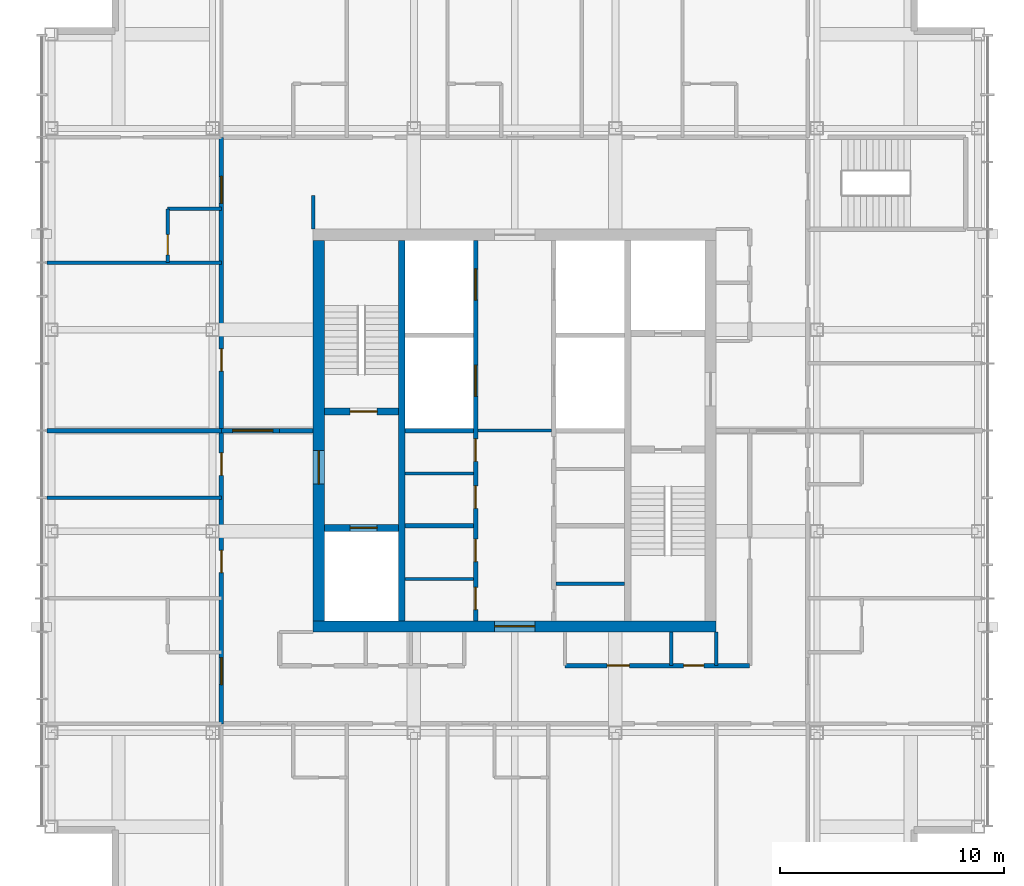
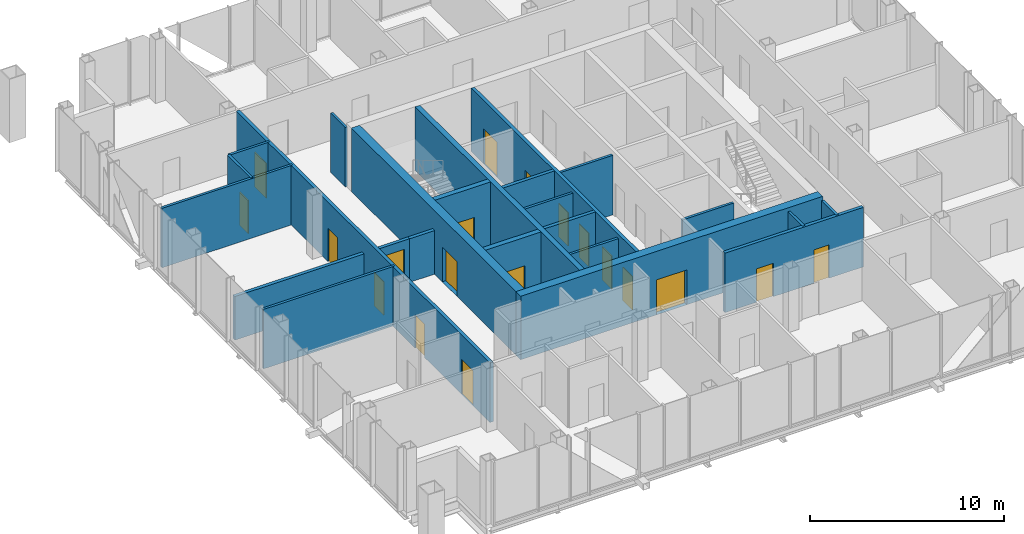
# One storey, part 8 of 11: 24 walls, 19 doors, 19 openings.
"""IFC4 building model written with IfcOpenShell, lengths in metres."""

from ifc_helpers import new_model, si_unit, direction, frame, frame_2d, origin, place, context, subcontext, project, spatial, rectangle, extrude, material, layer, layer_set, type_object, element, fill, save


model = new_model("IFC4")

# Units and contexts
model_context = context("Model", 3, precision=1e-05, world=origin(), true_north=direction((0.0, 1.0)))
body_context = subcontext(model_context, "Body", "Model", "MODEL_VIEW")
ifc_project = project(units=[si_unit("LENGTHUNIT", "METRE"), si_unit("AREAUNIT", "SQUARE_METRE"), si_unit("VOLUMEUNIT", "CUBIC_METRE"), si_unit("PLANEANGLEUNIT", "RADIAN"), si_unit("MASSUNIT", "GRAM", prefix="KILO")], contexts=[model_context])

# Site, building, storey
site_placement = place(None, origin())
site = spatial("IfcSite", under=ifc_project, at=site_placement, CompositionType="ELEMENT")
building_placement = place(site_placement, origin())
building = spatial("IfcBuilding", under=site, at=building_placement, Name="Malebo Sky Hospital", CompositionType="ELEMENT")
storey_placement = place(building_placement, frame((0.0, 0.0, 278.0)))
storey = spatial("IfcBuildingStorey", under=building, at=storey_placement, Name="L67", CompositionType="ELEMENT", Elevation=278.0)

# Wall, openings, doors
ifc_material_1 = material(Name="Concrete C80/95", Category="concrete")
ifc_layer_1 = layer(ifc_material_1, 0.199951171875)
ifc_layer_set_1 = layer_set([ifc_layer_1], Name="CORE INNER WALL 200")
wall_type_1 = type_object("IfcWallType", Name="CORE INNER WALL 200", PredefinedType="SHEAR", material=ifc_layer_set_1)
wall_1_placement = place(storey_placement, frame((58.25, 53.5, 0.0), z_axis=(0.0, 0.0, 1.0), x_axis=(0.0, 1.0, 0.0)))
wall_1 = element("IfcWall", 1, at=wall_1_placement, inside=storey, type_object=wall_type_1, Name="Core wall LW L67", PredefinedType="SHEAR", context=body_context, shape_type="SweptSolid", body=[
    extrude(rectangle(XDim=17.0, YDim=0.199951171875, at=frame_2d((8.5, 0.0))), origin(), (0.0, 0.0, 1.0), 4.0),
])
opening_1_placement = place(wall_1_placement, frame((0.49609375, 0.0, 0.0)))
opening_1 = element("IfcOpeningElement", 2, at=opening_1_placement, cuts=wall_1, Name="Opening D17", PredefinedType="OPENING", context=body_context, shape_type="SweptSolid", body=[
    extrude(rectangle(XDim=1.0, YDim=2.10009765625, at=frame_2d((0.5, 1.050048828125))), frame((0.0, 0.10986328125, 0.0), z_axis=(0.0, -1.0, 0.0), x_axis=(1.0, 0.0, 0.0)), (0.0, 0.0, 1.0), 0.219970703125),
])
opening_2_placement = place(wall_1_placement, frame((2.64599609375, 0.0, 0.0)))
opening_2 = element("IfcOpeningElement", 3, at=opening_2_placement, cuts=wall_1, Name="Opening D17", PredefinedType="OPENING", context=body_context, shape_type="SweptSolid", body=[
    extrude(rectangle(XDim=1.0, YDim=2.10009765625, at=frame_2d((0.5, 1.050048828125))), frame((0.0, 0.10986328125, 0.0), z_axis=(0.0, -1.0, 0.0), x_axis=(1.0, 0.0, 0.0)), (0.0, 0.0, 1.0), 0.219970703125),
])
opening_3_placement = place(wall_1_placement, frame((5.026611328125, 0.0, 0.0)))
opening_3 = element("IfcOpeningElement", 4, at=opening_3_placement, cuts=wall_1, Name="Opening D17", PredefinedType="OPENING", context=body_context, shape_type="SweptSolid", body=[
    extrude(rectangle(XDim=1.0, YDim=2.10009765625, at=frame_2d((0.5, 1.050048828125))), frame((0.0, 0.10986328125, 0.0), z_axis=(0.0, -1.0, 0.0), x_axis=(1.0, 0.0, 0.0)), (0.0, 0.0, 1.0), 0.219970703125),
])
opening_4_placement = place(wall_1_placement, frame((7.12646484375, 0.0, 0.0)))
opening_4 = element("IfcOpeningElement", 5, at=opening_4_placement, cuts=wall_1, Name="Opening D17", PredefinedType="OPENING", context=body_context, shape_type="SweptSolid", body=[
    extrude(rectangle(XDim=1.0, YDim=2.10009765625, at=frame_2d((0.5, 1.050048828125))), frame((0.0, 0.10986328125, 0.0), z_axis=(0.0, -1.0, 0.0), x_axis=(1.0, 0.0, 0.0)), (0.0, 0.0, 1.0), 0.219970703125),
])
opening_5_placement = place(wall_1_placement, frame((10.02490234375, 0.0, 0.0)))
opening_5 = element("IfcOpeningElement", 6, at=opening_5_placement, cuts=wall_1, Name="Opening LD1", PredefinedType="OPENING", context=body_context, shape_type="SweptSolid", body=[
    extrude(rectangle(XDim=1.39990234375, YDim=2.199951171875, at=frame_2d((0.699951171875, 1.10009765625))), frame((0.0, 0.10986328125, 0.0), z_axis=(0.0, -1.0, 0.0), x_axis=(1.0, 0.0, 0.0)), (0.0, 0.0, 1.0), 0.219970703125),
])
opening_6_placement = place(wall_1_placement, frame((14.324951171875, 0.0, 0.0)))
opening_6 = element("IfcOpeningElement", 7, at=opening_6_placement, cuts=wall_1, Name="Opening LD1", PredefinedType="OPENING", context=body_context, shape_type="SweptSolid", body=[
    extrude(rectangle(XDim=1.39990234375, YDim=2.199951171875, at=frame_2d((0.699951171875, 1.10009765625))), frame((0.0, 0.10986328125, 0.0), z_axis=(0.0, -1.0, 0.0), x_axis=(1.0, 0.0, 0.0)), (0.0, 0.0, 1.0), 0.219970703125),
])
ifc_material_2 = material(Name="Hardwood-faced door leaf in steel frame", Category="steel")
door_type_1 = type_object("IfcDoorType", Name="FIRE DOOR 1000", OperationType="SINGLE_SWING_LEFT", PredefinedType="DOOR", material=ifc_material_2)
door_1_placement = place(opening_1_placement, origin())
door_1 = element("IfcDoor", 8, at=door_1_placement, inside=storey, type_object=door_type_1, Name="Linen store door", OperationType="SINGLE_SWING_RIGHT", OverallHeight=2.10009765625, OverallWidth=1.0, PredefinedType="DOOR", context=body_context, shape_type="SweptSolid", body=[
    extrude(rectangle(XDim=1.0, YDim=2.10009765625, at=frame_2d((0.5, 1.050048828125))), frame((0.0, 0.02490234375, 0.0), z_axis=(0.0, -1.0, 0.0), x_axis=(1.0, 0.0, 0.0)), (0.0, 0.0, 1.0), 0.050048828125),
])
fill(opening_1, door_1)
door_2_placement = place(opening_2_placement, origin())
door_2 = element("IfcDoor", 9, at=door_2_placement, inside=storey, type_object=door_type_1, Name="Supplies store door", OperationType="SINGLE_SWING_RIGHT", OverallHeight=2.10009765625, OverallWidth=1.0, PredefinedType="DOOR", context=body_context, shape_type="SweptSolid", body=[
    extrude(rectangle(XDim=1.0, YDim=2.10009765625, at=frame_2d((0.5, 1.050048828125))), frame((0.0, 0.02490234375, 0.0), z_axis=(0.0, -1.0, 0.0), x_axis=(1.0, 0.0, 0.0)), (0.0, 0.0, 1.0), 0.050048828125),
])
fill(opening_2, door_2)
door_3_placement = place(opening_3_placement, origin())
door_3 = element("IfcDoor", 10, at=door_3_placement, inside=storey, type_object=door_type_1, Name="Mattress store door", OperationType="SINGLE_SWING_RIGHT", OverallHeight=2.10009765625, OverallWidth=1.0, PredefinedType="DOOR", context=body_context, shape_type="SweptSolid", body=[
    extrude(rectangle(XDim=1.0, YDim=2.10009765625, at=frame_2d((0.5, 1.050048828125))), frame((0.0, 0.02490234375, 0.0), z_axis=(0.0, -1.0, 0.0), x_axis=(1.0, 0.0, 0.0)), (0.0, 0.0, 1.0), 0.050048828125),
])
fill(opening_3, door_3)
door_4_placement = place(opening_4_placement, origin())
door_4 = element("IfcDoor", 11, at=door_4_placement, inside=storey, type_object=door_type_1, Name="Cleaning equipment store door", OperationType="SINGLE_SWING_RIGHT", OverallHeight=2.10009765625, OverallWidth=1.0, PredefinedType="DOOR", context=body_context, shape_type="SweptSolid", body=[
    extrude(rectangle(XDim=1.0, YDim=2.10009765625, at=frame_2d((0.5, 1.050048828125))), frame((0.0, 0.02490234375, 0.0), z_axis=(0.0, -1.0, 0.0), x_axis=(1.0, 0.0, 0.0)), (0.0, 0.0, 1.0), 0.050048828125),
])
fill(opening_4, door_4)
ifc_material_3 = material(Name="Stainless steel sliding landing door", Category="steel")
door_type_2 = type_object("IfcDoorType", Name="LIFT LANDING DOOR 1400", OperationType="SLIDING_TO_LEFT", PredefinedType="DOOR", material=ifc_material_3)
door_5_placement = place(opening_5_placement, origin())
door_5 = element("IfcDoor", 12, at=door_5_placement, inside=storey, type_object=door_type_2, Name="Lift W3 landing door", OperationType="SLIDING_TO_LEFT", OverallHeight=2.199951171875, OverallWidth=1.39990234375, PredefinedType="DOOR", context=body_context, shape_type="SweptSolid", body=[
    extrude(rectangle(XDim=1.39990234375, YDim=2.199951171875, at=frame_2d((0.699951171875, 1.10009765625))), frame((0.0, 0.02490234375, 0.0), z_axis=(0.0, -1.0, 0.0), x_axis=(1.0, 0.0, 0.0)), (0.0, 0.0, 1.0), 0.050048828125),
])
fill(opening_5, door_5)
door_6_placement = place(opening_6_placement, origin())
door_6 = element("IfcDoor", 13, at=door_6_placement, inside=storey, type_object=door_type_2, Name="Lift W4 landing door", OperationType="SLIDING_TO_LEFT", OverallHeight=2.199951171875, OverallWidth=1.39990234375, PredefinedType="DOOR", context=body_context, shape_type="SweptSolid", body=[
    extrude(rectangle(XDim=1.39990234375, YDim=2.199951171875, at=frame_2d((0.699951171875, 1.10009765625))), frame((0.0, 0.02490234375, 0.0), z_axis=(0.0, -1.0, 0.0), x_axis=(1.0, 0.0, 0.0)), (0.0, 0.0, 1.0), 0.050048828125),
])
fill(opening_6, door_6)

# Walls
for number, where, z_axis, x_axis, name in (
    (14, (55.10009765625, 57.75, 0.0), (0.0, 0.0, 1.0), (1.0, 0.0, 0.0), "Core wall SW0 L67"),
    (15, (55.10009765625, 62.0, 0.0), (0.0, 0.0, 1.0), (1.0, 0.0, 0.0), "Core wall SW1 L67"),
):
    element("IfcWall", number, at=place(storey_placement, frame(where, z_axis=z_axis, x_axis=x_axis)), inside=storey, type_object=wall_type_1, Name=name, PredefinedType="SHEAR", context=body_context, shape_type="SweptSolid", body=[
        extrude(rectangle(XDim=3.0498046875, YDim=0.199951171875, at=frame_2d((1.52490234375, 0.0))), origin(), (0.0, 0.0, 1.0), 4.0),
    ])
ifc_layer_2 = layer(ifc_material_1, 0.300048828125)
ifc_layer_set_2 = layer_set([ifc_layer_2], Name="CORE INNER WALL 300")
wall_type_2 = type_object("IfcWallType", Name="CORE INNER WALL 300", PredefinedType="SHEAR", material=ifc_layer_set_2)
wall_2_placement = place(storey_placement, frame((54.949951171875, 53.5, 0.0), z_axis=(0.0, 0.0, 1.0), x_axis=(0.0, 1.0, 0.0)))
element("IfcWall", 16, at=wall_2_placement, inside=storey, type_object=wall_type_2, Name="Core wall XW L67", PredefinedType="SHEAR", context=body_context, shape_type="SweptSolid", body=[
    extrude(rectangle(XDim=17.0, YDim=0.300048828125, at=frame_2d((8.5, 0.0))), origin(), (0.0, 0.0, 1.0), 4.0),
])

# Wall, opening, door
wall_3_placement = place(storey_placement, frame((51.5, 62.85009765625, 0.0), z_axis=(0.0, 0.0, 1.0), x_axis=(1.0, 0.0, 0.0)))
wall_3 = element("IfcWall", 17, at=wall_3_placement, inside=storey, type_object=wall_type_2, Name="Core wall W1 L67", PredefinedType="SHEAR", context=body_context, shape_type="SweptSolid", body=[
    extrude(rectangle(XDim=3.300048828125, YDim=0.300048828125, at=frame_2d((1.64990234375, 0.0))), origin(), (0.0, 0.0, 1.0), 4.0),
])
opening_7_placement = place(wall_3_placement, frame((1.14990234375, 0.0, 0.0)))
opening_7 = element("IfcOpeningElement", 18, at=opening_7_placement, cuts=wall_3, Name="Opening D08", PredefinedType="OPENING", context=body_context, shape_type="SweptSolid", body=[
    extrude(rectangle(XDim=1.199951171875, YDim=2.10009765625, at=frame_2d((0.60009765625, 1.050048828125))), frame((0.0, 0.159912109375, 0.0), z_axis=(0.0, -1.0, 0.0), x_axis=(1.0, 0.0, 0.0)), (0.0, 0.0, 1.0), 0.320068359375),
])
door_type_3 = type_object("IfcDoorType", Name="STAIR DOOR 1200", OperationType="SINGLE_SWING_LEFT", PredefinedType="DOOR", material=ifc_material_2)
door_7_placement = place(opening_7_placement, origin())
door_7 = element("IfcDoor", 19, at=door_7_placement, inside=storey, type_object=door_type_3, Name="Stair S1 door", OperationType="SINGLE_SWING_RIGHT", OverallHeight=2.10009765625, OverallWidth=1.199951171875, PredefinedType="DOOR", context=body_context, shape_type="SweptSolid", body=[
    extrude(rectangle(XDim=1.199951171875, YDim=2.10009765625, at=frame_2d((0.60009765625, 1.050048828125))), frame((0.0, 0.02490234375, 0.0), z_axis=(0.0, -1.0, 0.0), x_axis=(1.0, 0.0, 0.0)), (0.0, 0.0, 1.0), 0.050048828125),
])
fill(opening_7, door_7)

wall_4_placement = place(storey_placement, frame((51.5, 57.64990234375, 0.0), z_axis=(0.0, 0.0, 1.0), x_axis=(1.0, 0.0, 0.0)))
wall_4 = element("IfcWall", 20, at=wall_4_placement, inside=storey, type_object=wall_type_2, Name="Core wall W2 L67", PredefinedType="SHEAR", context=body_context, shape_type="SweptSolid", body=[
    extrude(rectangle(XDim=3.300048828125, YDim=0.300048828125, at=frame_2d((1.64990234375, 0.0))), origin(), (0.0, 0.0, 1.0), 4.0),
])
opening_8_placement = place(wall_4_placement, frame((1.14990234375, 0.0, 0.0)))
opening_8 = element("IfcOpeningElement", 21, at=opening_8_placement, cuts=wall_4, Name="Opening LD2", PredefinedType="OPENING", context=body_context, shape_type="SweptSolid", body=[
    extrude(rectangle(XDim=1.199951171875, YDim=2.199951171875, at=frame_2d((0.60009765625, 1.10009765625))), frame((0.0, 0.159912109375, 0.0), z_axis=(0.0, -1.0, 0.0), x_axis=(1.0, 0.0, 0.0)), (0.0, 0.0, 1.0), 0.320068359375),
])
door_type_4 = type_object("IfcDoorType", Name="FIRE-FIGHTING LIFT LANDING DOOR 1200", OperationType="SLIDING_TO_LEFT", PredefinedType="DOOR", material=ifc_material_3)
door_8_placement = place(opening_8_placement, origin())
door_8 = element("IfcDoor", 22, at=door_8_placement, inside=storey, type_object=door_type_4, Name="Lift FL1 landing door", OperationType="SLIDING_TO_LEFT", OverallHeight=2.199951171875, OverallWidth=1.199951171875, PredefinedType="DOOR", context=body_context, shape_type="SweptSolid", body=[
    extrude(rectangle(XDim=1.199951171875, YDim=2.199951171875, at=frame_2d((0.60009765625, 1.10009765625))), frame((0.0, 0.02490234375, 0.0), z_axis=(0.0, -1.0, 0.0), x_axis=(1.0, 0.0, 0.0)), (0.0, 0.0, 1.0), 0.050048828125),
])
fill(opening_8, door_8)

ifc_layer_3 = layer(ifc_material_1, 0.5)
ifc_layer_set_3 = layer_set([ifc_layer_3], Name="CORE WALL 500")
wall_type_3 = type_object("IfcWallType", Name="CORE WALL 500", PredefinedType="SHEAR", material=ifc_layer_set_3)
wall_5_placement = place(storey_placement, frame((51.0, 53.25, 0.0), z_axis=(0.0, 0.0, 1.0), x_axis=(1.0, 0.0, 0.0)))
wall_5 = element("IfcWall", 23, at=wall_5_placement, inside=storey, type_object=wall_type_3, Name="Core wall S L67", PredefinedType="SHEAR", context=body_context, shape_type="SweptSolid", body=[
    extrude(rectangle(XDim=18.0, YDim=0.5, at=frame_2d((9.0, 0.0))), origin(), (0.0, 0.0, 1.0), 4.0),
])
opening_9_placement = place(wall_5_placement, frame((8.10009765625, 0.0, 0.0)))
opening_9 = element("IfcOpeningElement", 24, at=opening_9_placement, cuts=wall_5, Name="Opening D06", PredefinedType="OPENING", context=body_context, shape_type="SweptSolid", body=[
    extrude(rectangle(XDim=1.800048828125, YDim=2.199951171875, at=frame_2d((0.89990234375, 1.10009765625))), frame((0.0, 0.260009765625, 0.0), z_axis=(0.0, -1.0, 0.0), x_axis=(1.0, 0.0, 0.0)), (0.0, 0.0, 1.0), 0.52001953125),
])
door_type_5 = type_object("IfcDoorType", Name="LOBBY DOOR PAIR 1800", OperationType="DOUBLE_DOOR_SINGLE_SWING", PredefinedType="DOOR", material=ifc_material_2)
door_9_placement = place(opening_9_placement, origin())
door_9 = element("IfcDoor", 25, at=door_9_placement, inside=storey, type_object=door_type_5, Name="Service lobby door south", OperationType="DOUBLE_DOOR_SINGLE_SWING", OverallHeight=2.199951171875, OverallWidth=1.800048828125, PredefinedType="DOOR", context=body_context, shape_type="SweptSolid", body=[
    extrude(rectangle(XDim=1.800048828125, YDim=2.199951171875, at=frame_2d((0.89990234375, 1.10009765625))), frame((0.0, 0.02490234375, 0.0), z_axis=(0.0, -1.0, 0.0), x_axis=(1.0, 0.0, 0.0)), (0.0, 0.0, 1.0), 0.050048828125),
])
fill(opening_9, door_9)

wall_6_placement = place(storey_placement, frame((51.25, 53.5, 0.0), z_axis=(0.0, 0.0, 1.0), x_axis=(0.0, 1.0, 0.0)))
wall_6 = element("IfcWall", 26, at=wall_6_placement, inside=storey, type_object=wall_type_3, Name="Core wall W L67", PredefinedType="SHEAR", context=body_context, shape_type="SweptSolid", body=[
    extrude(rectangle(XDim=17.0, YDim=0.5, at=frame_2d((8.5, 0.0))), origin(), (0.0, 0.0, 1.0), 4.0),
])
opening_10_placement = place(wall_6_placement, frame((6.10009765625, 0.0, 0.0)))
opening_10 = element("IfcOpeningElement", 27, at=opening_10_placement, cuts=wall_6, Name="Opening D07", PredefinedType="OPENING", context=body_context, shape_type="SweptSolid", body=[
    extrude(rectangle(XDim=1.5, YDim=2.199951171875, at=frame_2d((0.75, 1.10009765625))), frame((0.0, 0.260009765625, 0.0), z_axis=(0.0, -1.0, 0.0), x_axis=(1.0, 0.0, 0.0)), (0.0, 0.0, 1.0), 0.52001953125),
])
door_type_6 = type_object("IfcDoorType", Name="FIRE-FIGHTING LOBBY DOOR PAIR 1500", OperationType="DOUBLE_DOOR_SINGLE_SWING", PredefinedType="DOOR", material=ifc_material_2)
door_10_placement = place(opening_10_placement, origin())
door_10 = element("IfcDoor", 28, at=door_10_placement, inside=storey, type_object=door_type_6, Name="Fire-fighting lobby door west", OperationType="DOUBLE_DOOR_SINGLE_SWING", OverallHeight=2.199951171875, OverallWidth=1.5, PredefinedType="DOOR", context=body_context, shape_type="SweptSolid", body=[
    extrude(rectangle(XDim=1.5, YDim=2.199951171875, at=frame_2d((0.75, 1.10009765625))), frame((0.0, 0.02490234375, 0.0), z_axis=(0.0, -1.0, 0.0), x_axis=(1.0, 0.0, 0.0)), (0.0, 0.0, 1.0), 0.050048828125),
])
fill(opening_10, door_10)

# Wall, openings, doors
ifc_material_4 = material(Name="Gypsum board on steel studs", Category="steel")
ifc_layer_4 = layer(ifc_material_4, 0.199951171875)
ifc_layer_set_4 = layer_set([ifc_layer_4], Name="CORRIDOR WALL 200")
wall_type_4 = type_object("IfcWallType", Name="CORRIDOR WALL 200", PredefinedType="PARTITIONING", material=ifc_layer_set_4)
wall_7_placement = place(storey_placement, frame((46.89990234375, 48.89990234375, 0.0), z_axis=(0.0, 0.0, 1.0), x_axis=(0.0, 1.0, 0.0)))
wall_7 = element("IfcWall", 29, at=wall_7_placement, inside=storey, type_object=wall_type_4, Name="Corridor Wall 200 WCO", PredefinedType="PARTITIONING", context=body_context, shape_type="SweptSolid", body=[
    extrude(rectangle(XDim=26.2001953125, YDim=0.199951171875, at=frame_2d((13.10009765625, 0.0))), origin(), (0.0, 0.0, 1.0), 3.75),
])
opening_11_placement = place(wall_7_placement, frame((1.75, 0.0, 0.0)))
opening_11 = element("IfcOpeningElement", 30, at=opening_11_placement, cuts=wall_7, Name="Opening D01", PredefinedType="OPENING", context=body_context, shape_type="SweptSolid", body=[
    extrude(rectangle(XDim=1.199951171875, YDim=2.199951171875, at=frame_2d((0.60009765625, 1.10009765625))), frame((0.0, 0.10986328125, 0.0), z_axis=(0.0, -1.0, 0.0), x_axis=(1.0, 0.0, 0.0)), (0.0, 0.0, 1.0), 0.219970703125),
])
opening_12_placement = place(wall_7_placement, frame((6.75, 0.0, 0.0)))
opening_12 = element("IfcOpeningElement", 31, at=opening_12_placement, cuts=wall_7, Name="Opening D03", PredefinedType="OPENING", context=body_context, shape_type="SweptSolid", body=[
    extrude(rectangle(XDim=1.0, YDim=2.10009765625, at=frame_2d((0.5, 1.050048828125))), frame((0.0, 0.10986328125, 0.0), z_axis=(0.0, -1.0, 0.0), x_axis=(1.0, 0.0, 0.0)), (0.0, 0.0, 1.0), 0.219970703125),
])
opening_13_placement = place(wall_7_placement, frame((11.10009765625, 0.0, 0.0)))
opening_13 = element("IfcOpeningElement", 32, at=opening_13_placement, cuts=wall_7, Name="Opening D03", PredefinedType="OPENING", context=body_context, shape_type="SweptSolid", body=[
    extrude(rectangle(XDim=1.0, YDim=2.10009765625, at=frame_2d((0.5, 1.050048828125))), frame((0.0, 0.10986328125, 0.0), z_axis=(0.0, -1.0, 0.0), x_axis=(1.0, 0.0, 0.0)), (0.0, 0.0, 1.0), 0.219970703125),
])
opening_14_placement = place(wall_7_placement, frame((15.75, 0.0, 0.0)))
opening_14 = element("IfcOpeningElement", 33, at=opening_14_placement, cuts=wall_7, Name="Opening D03", PredefinedType="OPENING", context=body_context, shape_type="SweptSolid", body=[
    extrude(rectangle(XDim=1.0, YDim=2.10009765625, at=frame_2d((0.5, 1.050048828125))), frame((0.0, 0.10986328125, 0.0), z_axis=(0.0, -1.0, 0.0), x_axis=(1.0, 0.0, 0.0)), (0.0, 0.0, 1.0), 0.219970703125),
])
opening_15_placement = place(wall_7_placement, frame((23.25, 0.0, 0.0)))
opening_15 = element("IfcOpeningElement", 34, at=opening_15_placement, cuts=wall_7, Name="Opening D01", PredefinedType="OPENING", context=body_context, shape_type="SweptSolid", body=[
    extrude(rectangle(XDim=1.199951171875, YDim=2.199951171875, at=frame_2d((0.60009765625, 1.10009765625))), frame((0.0, 0.10986328125, 0.0), z_axis=(0.0, -1.0, 0.0), x_axis=(1.0, 0.0, 0.0)), (0.0, 0.0, 1.0), 0.219970703125),
])
door_type_7 = type_object("IfcDoorType", Name="BED DOOR 1200", OperationType="SINGLE_SWING_LEFT", PredefinedType="DOOR", material=ifc_material_2)
door_11_placement = place(opening_11_placement, origin())
door_11 = element("IfcDoor", 35, at=door_11_placement, inside=storey, type_object=door_type_7, Name="Private patient suite door", OperationType="SINGLE_SWING_RIGHT", OverallHeight=2.199951171875, OverallWidth=1.199951171875, PredefinedType="DOOR", context=body_context, shape_type="SweptSolid", body=[
    extrude(rectangle(XDim=1.199951171875, YDim=2.199951171875, at=frame_2d((0.60009765625, 1.10009765625))), frame((0.0, 0.02490234375, 0.0), z_axis=(0.0, -1.0, 0.0), x_axis=(1.0, 0.0, 0.0)), (0.0, 0.0, 1.0), 0.050048828125),
])
fill(opening_11, door_11)
door_12_placement = place(opening_15_placement, origin())
door_12 = element("IfcDoor", 36, at=door_12_placement, inside=storey, type_object=door_type_7, Name="Private patient suite door", OperationType="SINGLE_SWING_LEFT", OverallHeight=2.199951171875, OverallWidth=1.199951171875, PredefinedType="DOOR", context=body_context, shape_type="SweptSolid", body=[
    extrude(rectangle(XDim=1.199951171875, YDim=2.199951171875, at=frame_2d((0.60009765625, 1.10009765625))), frame((0.0, 0.02490234375, 0.0), z_axis=(0.0, -1.0, 0.0), x_axis=(1.0, 0.0, 0.0)), (0.0, 0.0, 1.0), 0.050048828125),
])
fill(opening_15, door_12)
door_type_8 = type_object("IfcDoorType", Name="ROOM DOOR 1000", OperationType="SINGLE_SWING_LEFT", PredefinedType="DOOR", material=ifc_material_2)
door_13_placement = place(opening_12_placement, origin())
door_13 = element("IfcDoor", 37, at=door_13_placement, inside=storey, type_object=door_type_8, Name="Clean utility room door", OperationType="SINGLE_SWING_LEFT", OverallHeight=2.10009765625, OverallWidth=1.0, PredefinedType="DOOR", context=body_context, shape_type="SweptSolid", body=[
    extrude(rectangle(XDim=1.0, YDim=2.10009765625, at=frame_2d((0.5, 1.050048828125))), frame((0.0, 0.02490234375, 0.0), z_axis=(0.0, -1.0, 0.0), x_axis=(1.0, 0.0, 0.0)), (0.0, 0.0, 1.0), 0.050048828125),
])
fill(opening_12, door_13)
door_14_placement = place(opening_13_placement, origin())
door_14 = element("IfcDoor", 38, at=door_14_placement, inside=storey, type_object=door_type_8, Name="Medication room door", OperationType="SINGLE_SWING_RIGHT", OverallHeight=2.10009765625, OverallWidth=1.0, PredefinedType="DOOR", context=body_context, shape_type="SweptSolid", body=[
    extrude(rectangle(XDim=1.0, YDim=2.10009765625, at=frame_2d((0.5, 1.050048828125))), frame((0.0, 0.02490234375, 0.0), z_axis=(0.0, -1.0, 0.0), x_axis=(1.0, 0.0, 0.0)), (0.0, 0.0, 1.0), 0.050048828125),
])
fill(opening_13, door_14)
door_15_placement = place(opening_14_placement, origin())
door_15 = element("IfcDoor", 39, at=door_15_placement, inside=storey, type_object=door_type_8, Name="Treatment room door", OperationType="SINGLE_SWING_LEFT", OverallHeight=2.10009765625, OverallWidth=1.0, PredefinedType="DOOR", context=body_context, shape_type="SweptSolid", body=[
    extrude(rectangle(XDim=1.0, YDim=2.10009765625, at=frame_2d((0.5, 1.050048828125))), frame((0.0, 0.02490234375, 0.0), z_axis=(0.0, -1.0, 0.0), x_axis=(1.0, 0.0, 0.0)), (0.0, 0.0, 1.0), 0.050048828125),
])
fill(opening_14, door_15)

wall_8_placement = place(storey_placement, frame((70.5, 51.5, 0.0), z_axis=(0.0, 0.0, 1.0), x_axis=(-1.0, 0.0, 0.0)))
wall_8 = element("IfcWall", 40, at=wall_8_placement, inside=storey, type_object=wall_type_4, Name="Corridor Wall 200 SCI1", PredefinedType="PARTITIONING", context=body_context, shape_type="SweptSolid", body=[
    extrude(rectangle(XDim=8.25, YDim=0.199951171875, at=frame_2d((4.125, 0.0))), origin(), (0.0, 0.0, 1.0), 3.75),
])
opening_16_placement = place(wall_8_placement, frame((2.050048828125, 0.0, 0.0)))
opening_16 = element("IfcOpeningElement", 41, at=opening_16_placement, cuts=wall_8, Name="Opening D04", PredefinedType="OPENING", context=body_context, shape_type="SweptSolid", body=[
    extrude(rectangle(XDim=0.89990234375, YDim=2.10009765625, at=frame_2d((0.449951171875, 1.050048828125))), frame((0.0, 0.10986328125, 0.0), z_axis=(0.0, -1.0, 0.0), x_axis=(1.0, 0.0, 0.0)), (0.0, 0.0, 1.0), 0.219970703125),
])
opening_17_placement = place(wall_8_placement, frame((5.375, 0.0, 0.0)))
opening_17 = element("IfcOpeningElement", 42, at=opening_17_placement, cuts=wall_8, Name="Opening D03", PredefinedType="OPENING", context=body_context, shape_type="SweptSolid", body=[
    extrude(rectangle(XDim=1.0, YDim=2.10009765625, at=frame_2d((0.5, 1.050048828125))), frame((0.0, 0.10986328125, 0.0), z_axis=(0.0, -1.0, 0.0), x_axis=(1.0, 0.0, 0.0)), (0.0, 0.0, 1.0), 0.219970703125),
])
door_16_placement = place(opening_17_placement, origin())
door_16 = element("IfcDoor", 43, at=door_16_placement, inside=storey, type_object=door_type_8, Name="Linen store door", OperationType="SINGLE_SWING_LEFT", OverallHeight=2.10009765625, OverallWidth=1.0, PredefinedType="DOOR", context=body_context, shape_type="SweptSolid", body=[
    extrude(rectangle(XDim=1.0, YDim=2.10009765625, at=frame_2d((0.5, 1.050048828125))), frame((0.0, 0.02490234375, 0.0), z_axis=(0.0, -1.0, 0.0), x_axis=(1.0, 0.0, 0.0)), (0.0, 0.0, 1.0), 0.050048828125),
])
fill(opening_17, door_16)
door_type_9 = type_object("IfcDoorType", Name="ROOM DOOR 900", OperationType="SINGLE_SWING_LEFT", PredefinedType="DOOR", material=ifc_material_2)
door_17_placement = place(opening_16_placement, origin())
door_17 = element("IfcDoor", 44, at=door_17_placement, inside=storey, type_object=door_type_9, Name="Staff WC door", OperationType="SINGLE_SWING_LEFT", OverallHeight=2.10009765625, OverallWidth=0.89990234375, PredefinedType="DOOR", context=body_context, shape_type="SweptSolid", body=[
    extrude(rectangle(XDim=0.89990234375, YDim=2.10009765625, at=frame_2d((0.449951171875, 1.050048828125))), frame((0.0, 0.02490234375, 0.0), z_axis=(0.0, -1.0, 0.0), x_axis=(1.0, 0.0, 0.0)), (0.0, 0.0, 1.0), 0.050048828125),
])
fill(opening_16, door_17)

# Walls
ifc_layer_5 = layer(ifc_material_4, 0.14990234375)
ifc_layer_set_5 = layer_set([ifc_layer_5], Name="PARTITION 150")
wall_type_5 = type_object("IfcWallType", Name="PARTITION 150", PredefinedType="PARTITIONING", material=ifc_layer_set_5)
wall_9_placement = place(storey_placement, frame((51.0, 71.0, 0.0), z_axis=(0.0, 0.0, 1.0), x_axis=(0.0, 1.0, 0.0)))
element("IfcWall", 45, at=wall_9_placement, inside=storey, type_object=wall_type_5, Name="Partition 150 NSP0", PredefinedType="PARTITIONING", context=body_context, shape_type="SweptSolid", body=[
    extrude(rectangle(XDim=1.5, YDim=0.14990234375, at=frame_2d((0.75, 0.0))), origin(), (0.0, 0.0, 1.0), 3.75),
])
for number, where, z_axis, x_axis, name in (
    (46, (46.89990234375, 59.0, 0.0), (0.0, 0.0, 1.0), (-1.0, 0.0, 0.0), "Partition 150 WP-3.0"),
    (47, (46.89990234375, 69.5, 0.0), (0.0, 0.0, 1.0), (-1.0, 0.0, 0.0), "Partition 150 WP+7.5"),
):
    element("IfcWall", number, at=place(storey_placement, frame(where, z_axis=z_axis, x_axis=x_axis)), inside=storey, type_object=wall_type_5, Name=name, PredefinedType="PARTITIONING", context=body_context, shape_type="SweptSolid", body=[
        extrude(rectangle(XDim=7.7998046875, YDim=0.14990234375, at=frame_2d((3.89990234375, 0.0))), origin(), (0.0, 0.0, 1.0), 3.75),
    ])

# Wall, opening, door
wall_10_placement = place(storey_placement, frame((44.5, 69.5, 0.0), z_axis=(0.0, 0.0, 1.0), x_axis=(0.0, 1.0, 0.0)))
wall_10 = element("IfcWall", 48, at=wall_10_placement, inside=storey, type_object=wall_type_5, Name="Partition 150 WE4F", PredefinedType="PARTITIONING", context=body_context, shape_type="SweptSolid", body=[
    extrude(rectangle(XDim=2.39990234375, YDim=0.14990234375, at=frame_2d((1.199951171875, 0.0))), origin(), (0.0, 0.0, 1.0), 3.75),
])
opening_18_placement = place(wall_10_placement, frame((0.35009765625, 0.0, 0.0)))
opening_18 = element("IfcOpeningElement", 49, at=opening_18_placement, cuts=wall_10, Name="Opening D02", PredefinedType="OPENING", context=body_context, shape_type="SweptSolid", body=[
    extrude(rectangle(XDim=0.89990234375, YDim=2.10009765625, at=frame_2d((0.449951171875, 1.050048828125))), frame((0.0, 0.0849609375, 0.0), z_axis=(0.0, -1.0, 0.0), x_axis=(1.0, 0.0, 0.0)), (0.0, 0.0, 1.0), 0.169921875),
])
door_type_10 = type_object("IfcDoorType", Name="EN-SUITE DOOR 900", OperationType="SINGLE_SWING_LEFT", PredefinedType="DOOR", material=ifc_material_2)
door_18_placement = place(opening_18_placement, origin())
door_18 = element("IfcDoor", 50, at=door_18_placement, inside=storey, type_object=door_type_10, Name="En-suite door", OperationType="SINGLE_SWING_LEFT", OverallHeight=2.10009765625, OverallWidth=0.89990234375, PredefinedType="DOOR", context=body_context, shape_type="SweptSolid", body=[
    extrude(rectangle(XDim=0.89990234375, YDim=2.10009765625, at=frame_2d((0.449951171875, 1.050048828125))), frame((0.0, 0.02490234375, 0.0), z_axis=(0.0, -1.0, 0.0), x_axis=(1.0, 0.0, 0.0)), (0.0, 0.0, 1.0), 0.050048828125),
])
fill(opening_18, door_18)

# Walls
wall_11_placement = place(storey_placement, frame((46.89990234375, 71.89990234375, 0.0), z_axis=(0.0, 0.0, 1.0), x_axis=(-1.0, 0.0, 0.0)))
element("IfcWall", 51, at=wall_11_placement, inside=storey, type_object=wall_type_5, Name="Partition 150 WE4S", PredefinedType="PARTITIONING", context=body_context, shape_type="SweptSolid", body=[
    extrude(rectangle(XDim=2.39990234375, YDim=0.14990234375, at=frame_2d((1.199951171875, 0.0))), origin(), (0.0, 0.0, 1.0), 3.75),
])
for number, where, z_axis, x_axis, name in (
    (52, (69.0, 53.0, 0.0), (0.0, 0.0, 1.0), (0.0, -1.0, 0.0), "Partition 150 SSP0"),
    (53, (67.0, 53.0, 0.0), (0.0, 0.0, 1.0), (0.0, -1.0, 0.0), "Partition 150 SSP-7.0"),
):
    element("IfcWall", number, at=place(storey_placement, frame(where, z_axis=z_axis, x_axis=x_axis)), inside=storey, type_object=wall_type_5, Name=name, PredefinedType="PARTITIONING", context=body_context, shape_type="SweptSolid", body=[
        extrude(rectangle(XDim=1.5, YDim=0.14990234375, at=frame_2d((0.75, 0.0))), origin(), (0.0, 0.0, 1.0), 3.75),
    ])
for number, where, z_axis, x_axis, name in (
    (54, (55.10009765625, 55.366943359375, 0.0), (0.0, 0.0, 1.0), (1.0, 0.0, 0.0), "Partition 150 SHW1"),
    (55, (61.85009765625, 55.159912109375, 0.0), (0.0, 0.0, 1.0), (1.0, 0.0, 0.0), "Partition 150 SHE1"),
    (56, (55.10009765625, 60.077880859375, 0.0), (0.0, 0.0, 1.0), (1.0, 0.0, 0.0), "Partition 150 SHW2"),
):
    element("IfcWall", number, at=place(storey_placement, frame(where, z_axis=z_axis, x_axis=x_axis)), inside=storey, type_object=wall_type_5, Name=name, PredefinedType="PARTITIONING", context=body_context, shape_type="SweptSolid", body=[
        extrude(rectangle(XDim=3.0498046875, YDim=0.14990234375, at=frame_2d((1.52490234375, 0.0))), origin(), (0.0, 0.0, 1.0), 3.75),
    ])
wall_12_placement = place(storey_placement, frame((58.35009765625, 62.0, 0.0), z_axis=(0.0, 0.0, 1.0), x_axis=(1.0, 0.0, 0.0)))
element("IfcWall", 57, at=wall_12_placement, inside=storey, type_object=wall_type_5, Name="Partition 150 LBS", PredefinedType="PARTITIONING", context=body_context, shape_type="SweptSolid", body=[
    extrude(rectangle(XDim=3.2998046875, YDim=0.14990234375, at=frame_2d((1.64990234375, 0.0))), origin(), (0.0, 0.0, 1.0), 3.75),
])
ifc_material_5 = material(Name="Concrete blockwork", Category="masonry")
ifc_layer_6 = layer(ifc_material_5, 0.199951171875)
ifc_layer_set_6 = layer_set([ifc_layer_6], Name="SMOKE BARRIER WALL 200")
wall_type_6 = type_object("IfcWallType", Name="SMOKE BARRIER WALL 200", PredefinedType="SOLIDWALL", material=ifc_layer_set_6)
wall_13_placement = place(storey_placement, frame((46.89990234375, 62.0, 0.0), z_axis=(0.0, 0.0, 1.0), x_axis=(-1.0, 0.0, 0.0)))
element("IfcWall", 58, at=wall_13_placement, inside=storey, type_object=wall_type_6, Name="Smoke Barrier Wall 200 WP+0.0", PredefinedType="SOLIDWALL", context=body_context, shape_type="SweptSolid", body=[
    extrude(rectangle(XDim=7.7998046875, YDim=0.199951171875, at=frame_2d((3.89990234375, 0.0))), origin(), (0.0, 0.0, 1.0), 2.75),
])
wall_14_placement = place(storey_placement, frame((51.0, 62.0, 0.0), z_axis=(0.0, 0.0, 1.0), x_axis=(-1.0, 0.0, 0.0)))
element("IfcWall", 59, at=wall_14_placement, inside=storey, type_object=wall_type_6, Name="Smoke Barrier Wall 200 WSPB", PredefinedType="SOLIDWALL", context=body_context, shape_type="SweptSolid", body=[
    extrude(rectangle(XDim=1.5, YDim=0.199951171875, at=frame_2d((0.75, 0.0))), origin(), (0.0, 0.0, 1.0), 2.75),
])

# Wall, opening, door
wall_15_placement = place(storey_placement, frame((49.5, 62.0, 0.0), z_axis=(0.0, 0.0, 1.0), x_axis=(-1.0, 0.0, 0.0)))
wall_15 = element("IfcWall", 60, at=wall_15_placement, inside=storey, type_object=wall_type_6, Name="Smoke Barrier Wall 200 WSB", PredefinedType="SOLIDWALL", context=body_context, shape_type="SweptSolid", body=[
    extrude(rectangle(XDim=2.60009765625, YDim=0.199951171875, at=frame_2d((1.300048828125, 0.0))), origin(), (0.0, 0.0, 1.0), 2.75),
])
opening_19_placement = place(wall_15_placement, frame((0.300048828125, 0.0, 0.0)))
opening_19 = element("IfcOpeningElement", 61, at=opening_19_placement, cuts=wall_15, Name="Opening D05", PredefinedType="OPENING", context=body_context, shape_type="SweptSolid", body=[
    extrude(rectangle(XDim=1.800048828125, YDim=2.199951171875, at=frame_2d((0.89990234375, 1.10009765625))), frame((0.0, 0.10986328125, 0.0), z_axis=(0.0, -1.0, 0.0), x_axis=(1.0, 0.0, 0.0)), (0.0, 0.0, 1.0), 0.219970703125),
])
door_type_11 = type_object("IfcDoorType", Name="SMOKE DOOR PAIR 1800", OperationType="DOUBLE_DOOR_DOUBLE_SWING", PredefinedType="DOOR", material=ifc_material_2)
door_19_placement = place(opening_19_placement, origin())
door_19 = element("IfcDoor", 62, at=door_19_placement, inside=storey, type_object=door_type_11, Name="Smoke compartment door pair", OperationType="DOUBLE_DOOR_DOUBLE_SWING", OverallHeight=2.199951171875, OverallWidth=1.800048828125, PredefinedType="DOOR", context=body_context, shape_type="SweptSolid", body=[
    extrude(rectangle(XDim=1.800048828125, YDim=2.199951171875, at=frame_2d((0.89990234375, 1.10009765625))), frame((0.0, 0.02490234375, 0.0), z_axis=(0.0, -1.0, 0.0), x_axis=(1.0, 0.0, 0.0)), (0.0, 0.0, 1.0), 0.050048828125),
])
fill(opening_19, door_19)

save(model, "model.ifc")
